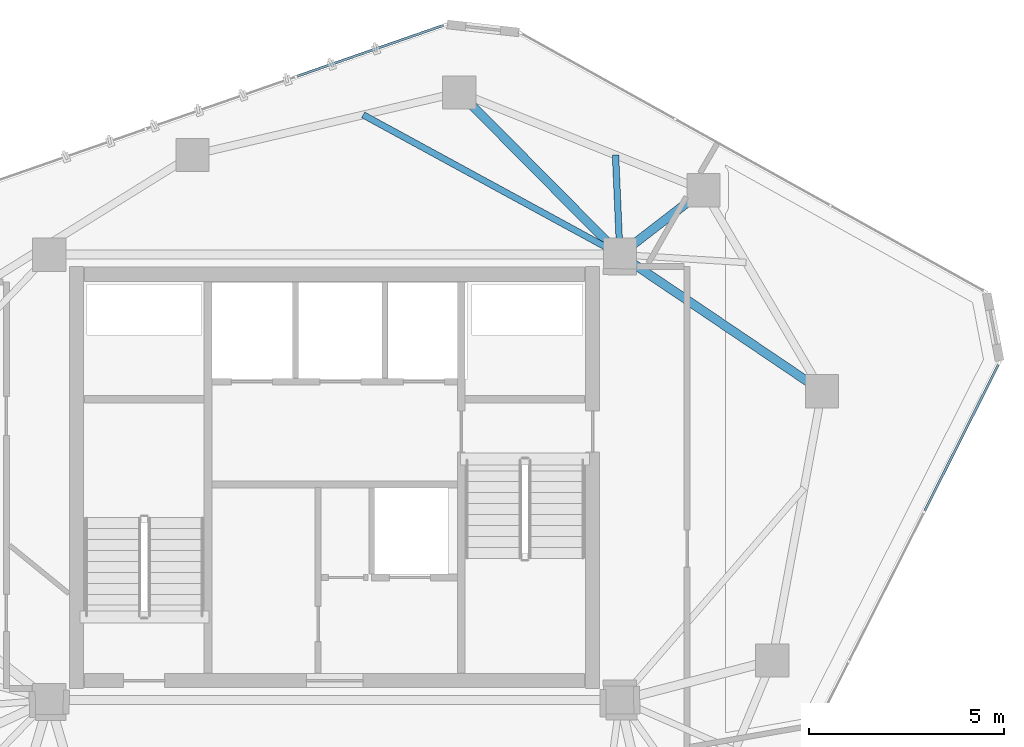
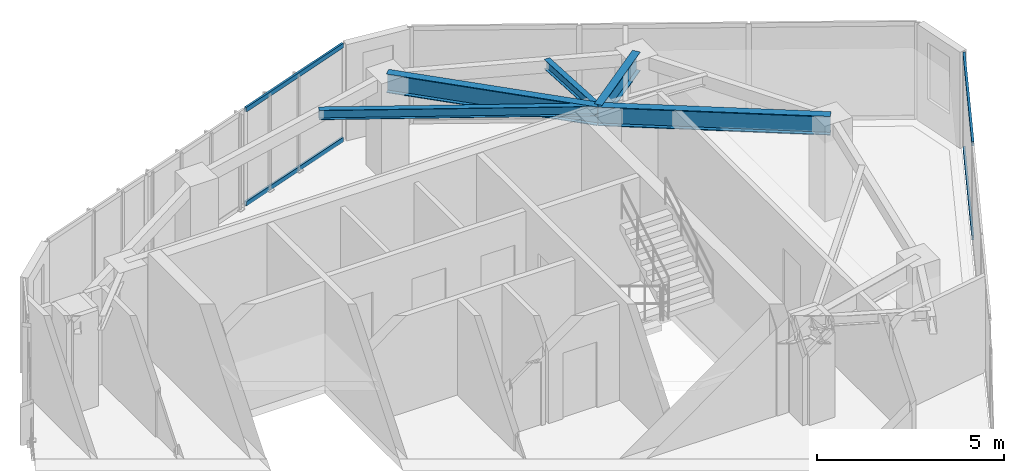
# One storey, part 13 of 20: 5 beams, 4 members, 2 elements without a shape of their own.
"""IFC4 building model written with IfcOpenShell, lengths in metres."""

from ifc_helpers import new_model, si_unit, direction, frame, origin, origin_2d, place, context, subcontext, project, spatial, hollow_rectangle, i_section, extrude, source, transform, mapped, material, layer, layer_set, material_profile, profile_set, type_object, type_shapes, element, aggregate, save


model = new_model("IFC4")

# Units and contexts
model_context = context("Model", 3, precision=1e-05, world=origin(), true_north=direction((0.0, 1.0)))
body_context = subcontext(model_context, "Body", "Model", "MODEL_VIEW")
ifc_project = project(units=[si_unit("LENGTHUNIT", "METRE"), si_unit("AREAUNIT", "SQUARE_METRE"), si_unit("VOLUMEUNIT", "CUBIC_METRE"), si_unit("PLANEANGLEUNIT", "RADIAN"), si_unit("MASSUNIT", "GRAM", prefix="KILO")], contexts=[model_context])

# Site, building, storey
site_placement = place(None, origin())
site = spatial("IfcSite", under=ifc_project, at=site_placement, CompositionType="ELEMENT")
building_placement = place(site_placement, origin())
building = spatial("IfcBuilding", under=site, at=building_placement, Name="Talar Marvaseh", CompositionType="ELEMENT")
storey_placement = place(building_placement, frame((0.0, 0.0, 285.0)))
storey = spatial("IfcBuildingStorey", under=building, at=storey_placement, Name="L76", CompositionType="ELEMENT", Elevation=285.0)

# Beams
ifc_material_1 = material(Name="Steel S355", Category="steel")
ifc_material_profile_1 = material_profile(ifc_material_1, i_section(OverallWidth=0.166015625, OverallDepth=0.31298828125, WebThickness=0.006591796875, FlangeThickness=0.01123046875, at=origin_2d()), Name="W310x45")
ifc_profile_set_1 = profile_set([ifc_material_profile_1], Name="Steel S355")
beam_type_1 = type_object("IfcBeamType", Name="Zone 3 Secondary Floor Joist W310x45", PredefinedType="JOIST", material=ifc_profile_set_1)
beam_1_placement = place(storey_placement, frame((26.731689453125, 40.476806640625, 2.9833984375), z_axis=(0.878223458764, -0.478250516442, 0.0), x_axis=(0.478250516442, 0.878223458764, 0.0)))
element("IfcBeam", 1, at=beam_1_placement, inside=storey, type_object=beam_type_1, Name="L76 Zone 3 Secondary Floor Joist W310x45", PredefinedType="JOIST", context=body_context, shape_type="SweptSolid", body=[
    extrude(i_section(OverallWidth=0.166015625, OverallDepth=0.31298828125, WebThickness=0.006591796875, FlangeThickness=0.01123046875, at=origin_2d()), origin(), (0.0, 0.0, 1.0), 7.479248046875),
])
beam_2_placement = place(storey_placement, frame((33.18798828125, 39.451416015625, 2.9833984375), z_axis=(0.043876945448, -0.99903694309, 0.0), x_axis=(0.99903694309, 0.043876945448, 0.0)))
element("IfcBeam", 2, at=beam_2_placement, inside=storey, type_object=beam_type_1, Name="L76 Zone 3 Secondary Floor Joist W310x45", PredefinedType="JOIST", context=body_context, shape_type="SweptSolid", body=[
    extrude(i_section(OverallWidth=0.166015625, OverallDepth=0.31298828125, WebThickness=0.006591796875, FlangeThickness=0.01123046875, at=origin_2d()), origin(), (0.0, 0.0, 1.0), 2.553955078125),
])
ifc_material_profile_2 = material_profile(ifc_material_1, i_section(OverallWidth=0.22998046875, OverallDepth=0.616943359375, WebThickness=0.01318359375, FlangeThickness=0.022216796875, at=origin_2d()), Name="W610x140")
ifc_profile_set_2 = profile_set([ifc_material_profile_2], Name="Steel S355")
beam_type_2 = type_object("IfcBeamType", Name="Zone 4 Radial Floor Girder W610x140", PredefinedType="BEAM", material=ifc_profile_set_2)
beam_3_placement = place(storey_placement, frame((29.18798828125, 41.052001953125, 2.83154296875), z_axis=(0.703672658083, -0.710524306598, 0.0), x_axis=(0.710524306598, 0.703672658083, 0.0)))
element("IfcBeam", 3, at=beam_3_placement, inside=storey, type_object=beam_type_2, Name="L76 Zone 4 Radial Floor Girder W610x140", PredefinedType="BEAM", context=body_context, shape_type="SweptSolid", body=[
    extrude(i_section(OverallWidth=0.22998046875, OverallDepth=0.616943359375, WebThickness=0.01318359375, FlangeThickness=0.022216796875, at=origin_2d()), origin(), (0.0, 0.0, 1.0), 5.84375),
])
beam_4_placement = place(storey_placement, frame((35.43798828125, 38.551025390625, 2.83154296875), z_axis=(-0.791449946636, -0.611233982996, 0.0), x_axis=(0.611233982996, -0.791449946636, 0.0)))
element("IfcBeam", 4, at=beam_4_placement, inside=storey, type_object=beam_type_2, Name="L76 Zone 4 Radial Floor Girder W610x140", PredefinedType="BEAM", context=body_context, shape_type="SweptSolid", body=[
    extrude(i_section(OverallWidth=0.22998046875, OverallDepth=0.616943359375, WebThickness=0.01318359375, FlangeThickness=0.022216796875, at=origin_2d()), origin(), (0.0, 0.0, 1.0), 2.701416015625),
])
beam_5_placement = place(storey_placement, frame((38.470947265625, 33.406005859375, 2.83154296875), z_axis=(-0.828585535277, 0.559862492698, 0.0), x_axis=(-0.559862492698, -0.828585535277, 0.0)))
element("IfcBeam", 5, at=beam_5_placement, inside=storey, type_object=beam_type_2, Name="L76 Zone 4 Radial Floor Girder W610x140", PredefinedType="BEAM", context=body_context, shape_type="SweptSolid", body=[
    extrude(i_section(OverallWidth=0.22998046875, OverallDepth=0.616943359375, WebThickness=0.01318359375, FlangeThickness=0.022216796875, at=origin_2d()), origin(), (0.0, 0.0, 1.0), 6.24072265625),
])

# Curtain wall, members
ifc_material_2 = material(Name="Architectural Aluminium", Category="aluminium")
ifc_layer = layer(ifc_material_2, 0.179931640625)
ifc_layer_set = layer_set([ifc_layer], Name="Architectural Aluminium")
curtain_wall_type = type_object("IfcCurtainWallType", Name="Unitised High-Wind Sky Curtain Wall Z4", PredefinedType="NOTDEFINED", material=ifc_layer_set)
curtain_wall_1_placement = place(storey_placement, origin())
curtain_wall_1 = element("IfcCurtainWall", 6, at=curtain_wall_1_placement, inside=storey, type_object=curtain_wall_type, Name="L76 Unitised High-Wind Sky Curtain Wall Z4", PredefinedType="NOTDEFINED")
ifc_material_profile_3 = material_profile(ifc_material_2, hollow_rectangle(XDim=0.06494140625, YDim=0.14990234375, WallThickness=0.00390625, at=origin_2d()), Name="RHS150x65x4")
ifc_profile_set_3 = profile_set([ifc_material_profile_3], Name="Architectural Aluminium")
member_type = type_object("IfcMemberType", Name="Unitised Curtain Wall Slim Transom RHS150x65x4", PredefinedType="USERDEFINED", material=ifc_profile_set_3)
shared_shape_1 = source(origin(), body_context, "Body", "SweptSolid", [
    extrude(hollow_rectangle(XDim=0.06494140625, YDim=0.14990234375, WallThickness=0.00390625, at=origin_2d()), origin(), (0.0, 0.0, 1.0), 4.188720703125),
])
member_1_placement = place(storey_placement, frame((42.983642578125, 34.08544921875, 0.032470703125), z_axis=(-0.450241781818, -0.892906679281, 0.0), x_axis=(0.892906679281, -0.450241781818, 0.0)))
member_1 = element("IfcMember", 7, at=member_1_placement, type_object=member_type, Name="CW-Z4 transom 1.1", ObjectType="TRANSOM", PredefinedType="USERDEFINED", context=body_context, shape_type="MappedRepresentation", body=[
    mapped(shared_shape_1, transform((0.0, 0.0, 0.0), x_axis=(1.0, 0.0, 0.0), y_axis=(0.0, 1.0, 0.0), z_axis=(0.0, 0.0, 1.0), scale=1.0)),
])
member_2_placement = place(storey_placement, frame((42.983642578125, 34.08544921875, 3.107421875), z_axis=(-0.450241781818, -0.892906679281, 0.0), x_axis=(0.892906679281, -0.450241781818, 0.0)))
member_2 = element("IfcMember", 8, at=member_2_placement, type_object=member_type, Name="CW-Z4 transom 1.2", ObjectType="TRANSOM", PredefinedType="USERDEFINED", context=body_context, shape_type="MappedRepresentation", body=[
    mapped(shared_shape_1, transform((0.0, 0.0, 0.0), x_axis=(1.0, 0.0, 0.0), y_axis=(0.0, 1.0, 0.0), z_axis=(0.0, 0.0, 1.0), scale=1.0)),
])
aggregate(curtain_wall_1, [member_1, member_2])

curtain_wall_2_placement = place(storey_placement, origin())
curtain_wall_2 = element("IfcCurtainWall", 9, at=curtain_wall_2_placement, inside=storey, type_object=curtain_wall_type, Name="L76 Unitised High-Wind Sky Curtain Wall Z4", PredefinedType="NOTDEFINED")
shared_shape_2 = source(origin(), body_context, "Body", "SweptSolid", [
    extrude(hollow_rectangle(XDim=0.06494140625, YDim=0.14990234375, WallThickness=0.00390625, at=origin_2d()), origin(), (0.0, 0.0, 1.0), 3.970947265625),
])
type_shapes(member_type, [shared_shape_1, shared_shape_2])
member_3_placement = place(storey_placement, frame((25.038330078125, 41.464111328125, 0.032470703125), z_axis=(0.944464444849, 0.328613621776, 0.0), x_axis=(-0.328613621776, 0.944464444849, 0.0)))
member_3 = element("IfcMember", 10, at=member_3_placement, type_object=member_type, Name="CW-Z4 transom 3.1", ObjectType="TRANSOM", PredefinedType="USERDEFINED", context=body_context, shape_type="MappedRepresentation", body=[
    mapped(shared_shape_2, transform((0.0, 0.0, 0.0), x_axis=(1.0, 0.0, 0.0), y_axis=(0.0, 1.0, 0.0), z_axis=(0.0, 0.0, 1.0), scale=1.0)),
])
member_4_placement = place(storey_placement, frame((25.038330078125, 41.464111328125, 3.107421875), z_axis=(0.944464444849, 0.328613621776, 0.0), x_axis=(-0.328613621776, 0.944464444849, 0.0)))
member_4 = element("IfcMember", 11, at=member_4_placement, type_object=member_type, Name="CW-Z4 transom 3.2", ObjectType="TRANSOM", PredefinedType="USERDEFINED", context=body_context, shape_type="MappedRepresentation", body=[
    mapped(shared_shape_2, transform((0.0, 0.0, 0.0), x_axis=(1.0, 0.0, 0.0), y_axis=(0.0, 1.0, 0.0), z_axis=(0.0, 0.0, 1.0), scale=1.0)),
])
aggregate(curtain_wall_2, [member_3, member_4])

save(model, "model.ifc")
